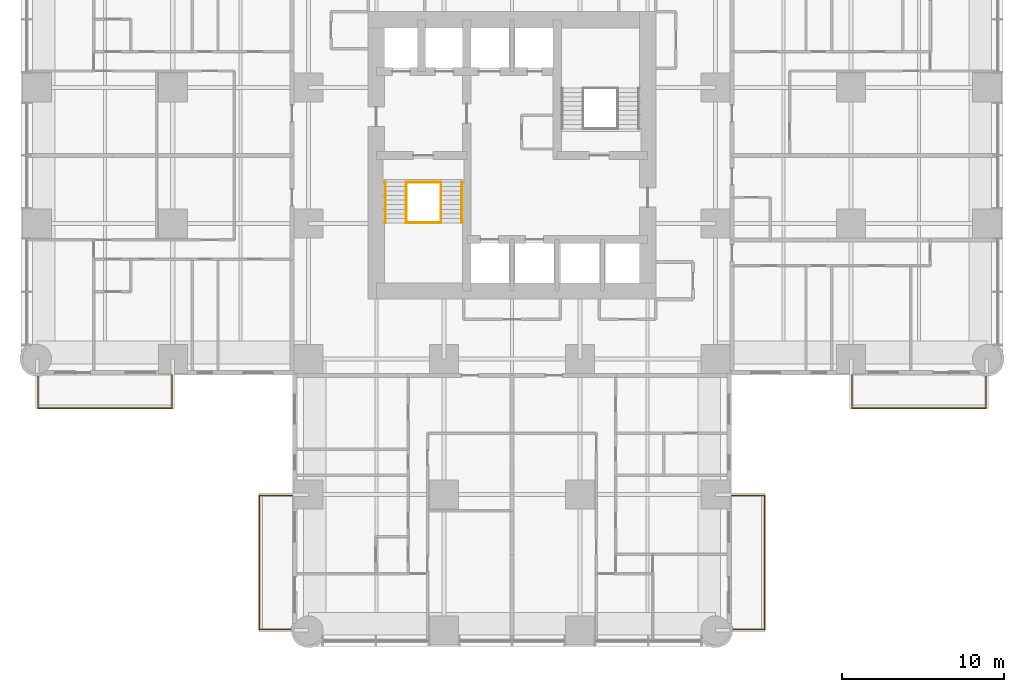
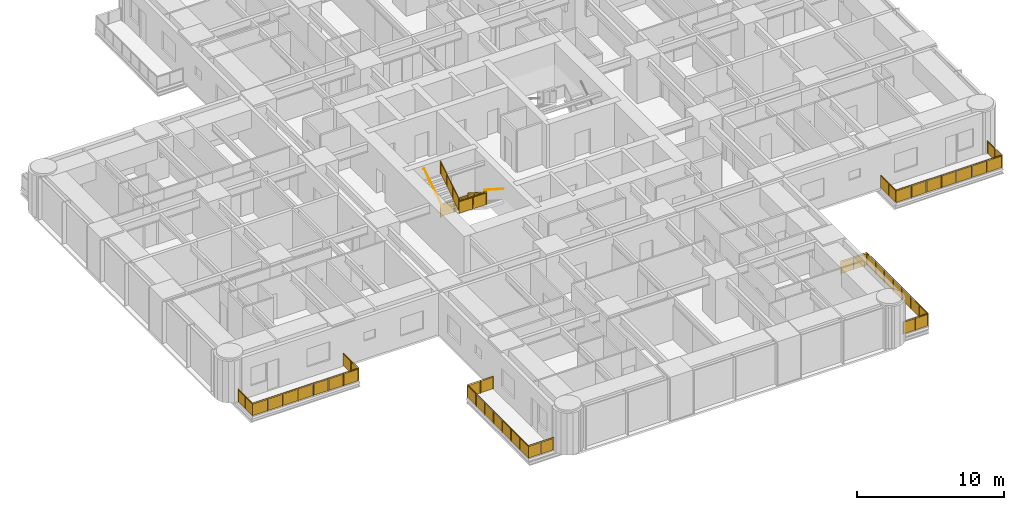
# One storey, part 16 of 17: 10 railings.
"""IFC4 building model written with IfcOpenShell, lengths in metres."""

from ifc_helpers import new_model, si_unit, direction, frame, origin, origin_2d, place, context, subcontext, project, spatial, polyline, circle, outline, extrude, material, constituent, constituent_set, type_object, element, save


model = new_model("IFC4")

# Units and contexts
model_context = context("Model", 3, precision=1e-05, world=origin(), true_north=direction((0.0, 1.0)))
body_context = subcontext(model_context, "Body", "Model", "MODEL_VIEW")
ifc_project = project(units=[si_unit("LENGTHUNIT", "METRE"), si_unit("AREAUNIT", "SQUARE_METRE"), si_unit("VOLUMEUNIT", "CUBIC_METRE"), si_unit("PLANEANGLEUNIT", "RADIAN"), si_unit("MASSUNIT", "GRAM", prefix="KILO")], contexts=[model_context])

# Site, building, storey
site_placement = place(None, origin())
site = spatial("IfcSite", under=ifc_project, at=site_placement, CompositionType="ELEMENT")
building_placement = place(site_placement, origin())
building = spatial("IfcBuilding", under=site, at=building_placement, Name="Torre Alcanfor", CompositionType="ELEMENT")
storey_placement = place(building_placement, frame((0.0, 0.0, 92.10009765625)))
storey = spatial("IfcBuildingStorey", under=building, at=storey_placement, Name="L23", CompositionType="ELEMENT", Elevation=92.10009765625)

# Railings
ifc_material_1 = material(Name="Laminated safety glass", Category="glass")
ifc_constituent_1 = constituent(ifc_material_1, Name="Infill")
ifc_material_2 = material(Name="Stainless steel ASTM A554 Grade MT 316L tube", Category="steel")
ifc_constituent_2 = constituent(ifc_material_2, Name="Posts and rail")
ifc_constituent_set = constituent_set(constituents=[ifc_constituent_1, ifc_constituent_2], Name="Balcony guard glass 1100")
railing_type_1 = type_object("IfcRailingType", Name="Balcony guard glass 1100", PredefinedType="BALUSTRADE", material=ifc_constituent_set)
railing_1_placement = place(storey_placement, frame((50.449951171875, 15.800048828125, 0.0)))
element("IfcRailing", 1, at=railing_1_placement, inside=storey, type_object=railing_type_1, Name="Balcony guard L23-E2", PredefinedType="BALUSTRADE", context=body_context, shape_type="SweptSolid", body=[
    extrude(circle(Radius=0.02392578125, at=origin_2d()), frame((0.0, 0.0, 1.076171875), z_axis=(0.0, -1.0, 0.0), x_axis=(1.0, 0.0, 0.0)), (0.0, 0.0, 1.0), 2.050048828125),
    extrude(circle(Radius=0.02392578125, at=origin_2d()), frame((0.0, -2.050048828125, 1.076171875), z_axis=(1.0, 0.0, 0.0), x_axis=(0.0, 1.0, 0.0)), (0.0, 0.0, 1.0), 8.300048828125),
    extrude(circle(Radius=0.02392578125, at=origin_2d()), frame((8.300048828125, -2.050048828125, 1.076171875), z_axis=(0.0, 1.0, 0.0), x_axis=(-1.0, 0.0, 0.0)), (0.0, 0.0, 1.0), 1.968994140625),
    extrude(circle(Radius=0.02099609375, at=origin_2d()), origin(), (0.0, 0.0, 1.0), 1.052001953125),
    extrude(circle(Radius=0.02099609375, at=origin_2d()), frame((0.0, -1.02490234375, 0.0)), (0.0, 0.0, 1.0), 1.052001953125),
    extrude(circle(Radius=0.02099609375, at=origin_2d()), frame((0.0, -2.050048828125, 0.0)), (0.0, 0.0, 1.0), 1.052001953125),
    extrude(circle(Radius=0.02099609375, at=origin_2d()), frame((1.185791015625, -2.050048828125, 0.0)), (0.0, 0.0, 1.0), 1.052001953125),
    extrude(circle(Radius=0.02099609375, at=origin_2d()), frame((2.371337890625, -2.050048828125, 0.0)), (0.0, 0.0, 1.0), 1.052001953125),
    extrude(circle(Radius=0.02099609375, at=origin_2d()), frame((3.55712890625, -2.050048828125, 0.0)), (0.0, 0.0, 1.0), 1.052001953125),
    extrude(circle(Radius=0.02099609375, at=origin_2d()), frame((4.742919921875, -2.050048828125, 0.0)), (0.0, 0.0, 1.0), 1.052001953125),
    extrude(circle(Radius=0.02099609375, at=origin_2d()), frame((5.9287109375, -2.050048828125, 0.0)), (0.0, 0.0, 1.0), 1.052001953125),
    extrude(circle(Radius=0.02099609375, at=origin_2d()), frame((7.1142578125, -2.050048828125, 0.0)), (0.0, 0.0, 1.0), 1.052001953125),
    extrude(circle(Radius=0.02099609375, at=origin_2d()), frame((8.300048828125, -2.050048828125, 0.0)), (0.0, 0.0, 1.0), 1.052001953125),
    extrude(circle(Radius=0.02099609375, at=origin_2d()), frame((8.300048828125, -1.0654296875, 0.0)), (0.0, 0.0, 1.0), 1.052001953125),
    extrude(circle(Radius=0.02099609375, at=origin_2d()), frame((8.300048828125, -0.0810546875, 0.0)), (0.0, 0.0, 1.0), 1.052001953125),
    extrude(outline(polyline([(0.041015625, 0.050048828125), (0.984130859375, 0.050048828125), (0.984130859375, 1.001953125), (0.041015625, 1.001953125), (0.041015625, 0.050048828125)])), frame((0.005859375, 0.0, 0.0), z_axis=(-1.0, 0.0, 0.0), x_axis=(0.0, -1.0, 0.0)), (0.0, 0.0, 1.0), 0.011962890625),
    extrude(outline(polyline([(1.06591796875, 0.050048828125), (2.009033203125, 0.050048828125), (2.009033203125, 1.001953125), (1.06591796875, 1.001953125), (1.06591796875, 0.050048828125)])), frame((0.005859375, 0.0, 0.0), z_axis=(-1.0, 0.0, 0.0), x_axis=(0.0, -1.0, 0.0)), (0.0, 0.0, 1.0), 0.011962890625),
    extrude(outline(polyline([(0.041015625, 0.050048828125), (1.144775390625, 0.050048828125), (1.144775390625, 1.001953125), (0.041015625, 1.001953125), (0.041015625, 0.050048828125)])), frame((0.0, -2.0439453125, 0.0), z_axis=(0.0, -1.0, 0.0), x_axis=(1.0, 0.0, 0.0)), (0.0, 0.0, 1.0), 0.011962890625),
    extrude(outline(polyline([(1.226806640625, 0.050048828125), (2.330322265625, 0.050048828125), (2.330322265625, 1.001953125), (1.226806640625, 1.001953125), (1.226806640625, 0.050048828125)])), frame((0.0, -2.0439453125, 0.0), z_axis=(0.0, -1.0, 0.0), x_axis=(1.0, 0.0, 0.0)), (0.0, 0.0, 1.0), 0.011962890625),
    extrude(outline(polyline([(2.412353515625, 0.050048828125), (3.51611328125, 0.050048828125), (3.51611328125, 1.001953125), (2.412353515625, 1.001953125), (2.412353515625, 0.050048828125)])), frame((0.0, -2.0439453125, 0.0), z_axis=(0.0, -1.0, 0.0), x_axis=(1.0, 0.0, 0.0)), (0.0, 0.0, 1.0), 0.011962890625),
    extrude(outline(polyline([(3.59814453125, 0.050048828125), (4.701904296875, 0.050048828125), (4.701904296875, 1.001953125), (3.59814453125, 1.001953125), (3.59814453125, 0.050048828125)])), frame((0.0, -2.0439453125, 0.0), z_axis=(0.0, -1.0, 0.0), x_axis=(1.0, 0.0, 0.0)), (0.0, 0.0, 1.0), 0.011962890625),
    extrude(outline(polyline([(4.783935546875, 0.050048828125), (5.8876953125, 0.050048828125), (5.8876953125, 1.001953125), (4.783935546875, 1.001953125), (4.783935546875, 0.050048828125)])), frame((0.0, -2.0439453125, 0.0), z_axis=(0.0, -1.0, 0.0), x_axis=(1.0, 0.0, 0.0)), (0.0, 0.0, 1.0), 0.011962890625),
    extrude(outline(polyline([(5.9697265625, 0.050048828125), (7.0732421875, 0.050048828125), (7.0732421875, 1.001953125), (5.9697265625, 1.001953125), (5.9697265625, 0.050048828125)])), frame((0.0, -2.0439453125, 0.0), z_axis=(0.0, -1.0, 0.0), x_axis=(1.0, 0.0, 0.0)), (0.0, 0.0, 1.0), 0.011962890625),
    extrude(outline(polyline([(7.1552734375, 0.050048828125), (8.259033203125, 0.050048828125), (8.259033203125, 1.001953125), (7.1552734375, 1.001953125), (7.1552734375, 0.050048828125)])), frame((0.0, -2.0439453125, 0.0), z_axis=(0.0, -1.0, 0.0), x_axis=(1.0, 0.0, 0.0)), (0.0, 0.0, 1.0), 0.011962890625),
    extrude(outline(polyline([(0.041015625, 0.050048828125), (0.943603515625, 0.050048828125), (0.943603515625, 1.001953125), (0.041015625, 1.001953125), (0.041015625, 0.050048828125)])), frame((8.2939453125, -2.050048828125, 0.0), z_axis=(1.0, 0.0, 0.0), x_axis=(0.0, 1.0, 0.0)), (0.0, 0.0, 1.0), 0.011962890625),
    extrude(outline(polyline([(1.025390625, 0.050048828125), (1.927978515625, 0.050048828125), (1.927978515625, 1.001953125), (1.025390625, 1.001953125), (1.025390625, 0.050048828125)])), frame((8.2939453125, -2.050048828125, 0.0), z_axis=(1.0, 0.0, 0.0), x_axis=(0.0, 1.0, 0.0)), (0.0, 0.0, 1.0), 0.011962890625),
])
railing_2_placement = place(storey_placement, frame((43.0, 8.35009765625, 0.0)))
element("IfcRailing", 2, at=railing_2_placement, inside=storey, type_object=railing_type_1, Name="Balcony guard L23-S1", PredefinedType="BALUSTRADE", context=body_context, shape_type="SweptSolid", body=[
    extrude(circle(Radius=0.02392578125, at=origin_2d()), frame((0.0, 0.0, 1.076171875), z_axis=(1.0, 0.0, 0.0), x_axis=(0.0, 1.0, 0.0)), (0.0, 0.0, 1.0), 2.050048828125),
    extrude(circle(Radius=0.02392578125, at=origin_2d()), frame((2.050048828125, 0.0, 1.076171875), z_axis=(0.0, -1.0, 0.0), x_axis=(1.0, 0.0, 0.0)), (0.0, 0.0, 1.0), 8.300048828125),
    extrude(circle(Radius=0.02392578125, at=origin_2d()), frame((2.050048828125, -8.300048828125, 1.076171875), z_axis=(-1.0, 0.0, 0.0), x_axis=(0.0, -1.0, 0.0)), (0.0, 0.0, 1.0), 1.968994140625),
    extrude(circle(Radius=0.02099609375, at=origin_2d()), origin(), (0.0, 0.0, 1.0), 1.052001953125),
    extrude(circle(Radius=0.02099609375, at=origin_2d()), frame((1.02490234375, 0.0, 0.0)), (0.0, 0.0, 1.0), 1.052001953125),
    extrude(circle(Radius=0.02099609375, at=origin_2d()), frame((2.050048828125, 0.0, 0.0)), (0.0, 0.0, 1.0), 1.052001953125),
    extrude(circle(Radius=0.02099609375, at=origin_2d()), frame((2.050048828125, -1.185791015625, 0.0)), (0.0, 0.0, 1.0), 1.052001953125),
    extrude(circle(Radius=0.02099609375, at=origin_2d()), frame((2.050048828125, -2.371337890625, 0.0)), (0.0, 0.0, 1.0), 1.052001953125),
    extrude(circle(Radius=0.02099609375, at=origin_2d()), frame((2.050048828125, -3.55712890625, 0.0)), (0.0, 0.0, 1.0), 1.052001953125),
    extrude(circle(Radius=0.02099609375, at=origin_2d()), frame((2.050048828125, -4.742919921875, 0.0)), (0.0, 0.0, 1.0), 1.052001953125),
    extrude(circle(Radius=0.02099609375, at=origin_2d()), frame((2.050048828125, -5.9287109375, 0.0)), (0.0, 0.0, 1.0), 1.052001953125),
    extrude(circle(Radius=0.02099609375, at=origin_2d()), frame((2.050048828125, -7.1142578125, 0.0)), (0.0, 0.0, 1.0), 1.052001953125),
    extrude(circle(Radius=0.02099609375, at=origin_2d()), frame((2.050048828125, -8.300048828125, 0.0)), (0.0, 0.0, 1.0), 1.052001953125),
    extrude(circle(Radius=0.02099609375, at=origin_2d()), frame((1.0654296875, -8.300048828125, 0.0)), (0.0, 0.0, 1.0), 1.052001953125),
    extrude(circle(Radius=0.02099609375, at=origin_2d()), frame((0.0810546875, -8.300048828125, 0.0)), (0.0, 0.0, 1.0), 1.052001953125),
    extrude(outline(polyline([(0.041015625, 0.050048828125), (0.984130859375, 0.050048828125), (0.984130859375, 1.001953125), (0.041015625, 1.001953125), (0.041015625, 0.050048828125)])), frame((0.0, 0.005859375, 0.0), z_axis=(0.0, -1.0, 0.0), x_axis=(1.0, 0.0, 0.0)), (0.0, 0.0, 1.0), 0.011962890625),
    extrude(outline(polyline([(1.06591796875, 0.050048828125), (2.009033203125, 0.050048828125), (2.009033203125, 1.001953125), (1.06591796875, 1.001953125), (1.06591796875, 0.050048828125)])), frame((0.0, 0.005859375, 0.0), z_axis=(0.0, -1.0, 0.0), x_axis=(1.0, 0.0, 0.0)), (0.0, 0.0, 1.0), 0.011962890625),
    extrude(outline(polyline([(0.041015625, 0.050048828125), (1.144775390625, 0.050048828125), (1.144775390625, 1.001953125), (0.041015625, 1.001953125), (0.041015625, 0.050048828125)])), frame((2.05615234375, 0.0, 0.0), z_axis=(-1.0, 0.0, 0.0), x_axis=(0.0, -1.0, 0.0)), (0.0, 0.0, 1.0), 0.011962890625),
    extrude(outline(polyline([(1.226806640625, 0.050048828125), (2.330322265625, 0.050048828125), (2.330322265625, 1.001953125), (1.226806640625, 1.001953125), (1.226806640625, 0.050048828125)])), frame((2.05615234375, 0.0, 0.0), z_axis=(-1.0, 0.0, 0.0), x_axis=(0.0, -1.0, 0.0)), (0.0, 0.0, 1.0), 0.011962890625),
    extrude(outline(polyline([(2.412353515625, 0.050048828125), (3.51611328125, 0.050048828125), (3.51611328125, 1.001953125), (2.412353515625, 1.001953125), (2.412353515625, 0.050048828125)])), frame((2.05615234375, 0.0, 0.0), z_axis=(-1.0, 0.0, 0.0), x_axis=(0.0, -1.0, 0.0)), (0.0, 0.0, 1.0), 0.011962890625),
    extrude(outline(polyline([(3.59814453125, 0.050048828125), (4.701904296875, 0.050048828125), (4.701904296875, 1.001953125), (3.59814453125, 1.001953125), (3.59814453125, 0.050048828125)])), frame((2.05615234375, 0.0, 0.0), z_axis=(-1.0, 0.0, 0.0), x_axis=(0.0, -1.0, 0.0)), (0.0, 0.0, 1.0), 0.011962890625),
    extrude(outline(polyline([(4.783935546875, 0.050048828125), (5.8876953125, 0.050048828125), (5.8876953125, 1.001953125), (4.783935546875, 1.001953125), (4.783935546875, 0.050048828125)])), frame((2.05615234375, 0.0, 0.0), z_axis=(-1.0, 0.0, 0.0), x_axis=(0.0, -1.0, 0.0)), (0.0, 0.0, 1.0), 0.011962890625),
    extrude(outline(polyline([(5.9697265625, 0.050048828125), (7.0732421875, 0.050048828125), (7.0732421875, 1.001953125), (5.9697265625, 1.001953125), (5.9697265625, 0.050048828125)])), frame((2.05615234375, 0.0, 0.0), z_axis=(-1.0, 0.0, 0.0), x_axis=(0.0, -1.0, 0.0)), (0.0, 0.0, 1.0), 0.011962890625),
    extrude(outline(polyline([(7.1552734375, 0.050048828125), (8.259033203125, 0.050048828125), (8.259033203125, 1.001953125), (7.1552734375, 1.001953125), (7.1552734375, 0.050048828125)])), frame((2.05615234375, 0.0, 0.0), z_axis=(-1.0, 0.0, 0.0), x_axis=(0.0, -1.0, 0.0)), (0.0, 0.0, 1.0), 0.011962890625),
    extrude(outline(polyline([(0.041015625, 0.050048828125), (0.943603515625, 0.050048828125), (0.943603515625, 1.001953125), (0.041015625, 1.001953125), (0.041015625, 0.050048828125)])), frame((2.050048828125, -8.30615234375, 0.0), z_axis=(0.0, 1.0, 0.0), x_axis=(-1.0, 0.0, 0.0)), (0.0, 0.0, 1.0), 0.011962890625),
    extrude(outline(polyline([(1.025390625, 0.050048828125), (1.927978515625, 0.050048828125), (1.927978515625, 1.001953125), (1.025390625, 1.001953125), (1.025390625, 0.050048828125)])), frame((2.050048828125, -8.30615234375, 0.0), z_axis=(0.0, 1.0, 0.0), x_axis=(-1.0, 0.0, 0.0)), (0.0, 0.0, 1.0), 0.011962890625),
])
railing_3_placement = place(storey_placement, frame((15.800048828125, 8.35009765625, 0.0)))
element("IfcRailing", 3, at=railing_3_placement, inside=storey, type_object=railing_type_1, Name="Balcony guard L23-S2", PredefinedType="BALUSTRADE", context=body_context, shape_type="SweptSolid", body=[
    extrude(circle(Radius=0.02392578125, at=origin_2d()), frame((0.0, 0.0, 1.076171875), z_axis=(-1.0, 0.0, 0.0), x_axis=(0.0, -1.0, 0.0)), (0.0, 0.0, 1.0), 2.050048828125),
    extrude(circle(Radius=0.02392578125, at=origin_2d()), frame((-2.050048828125, 0.0, 1.076171875), z_axis=(0.0, -1.0, 0.0), x_axis=(1.0, 0.0, 0.0)), (0.0, 0.0, 1.0), 8.300048828125),
    extrude(circle(Radius=0.02392578125, at=origin_2d()), frame((-2.050048828125, -8.300048828125, 1.076171875), z_axis=(1.0, 0.0, 0.0), x_axis=(0.0, 1.0, 0.0)), (0.0, 0.0, 1.0), 1.968994140625),
    extrude(circle(Radius=0.02099609375, at=origin_2d()), origin(), (0.0, 0.0, 1.0), 1.052001953125),
    extrude(circle(Radius=0.02099609375, at=origin_2d()), frame((-1.02490234375, 0.0, 0.0)), (0.0, 0.0, 1.0), 1.052001953125),
    extrude(circle(Radius=0.02099609375, at=origin_2d()), frame((-2.050048828125, 0.0, 0.0)), (0.0, 0.0, 1.0), 1.052001953125),
    extrude(circle(Radius=0.02099609375, at=origin_2d()), frame((-2.050048828125, -1.185791015625, 0.0)), (0.0, 0.0, 1.0), 1.052001953125),
    extrude(circle(Radius=0.02099609375, at=origin_2d()), frame((-2.050048828125, -2.371337890625, 0.0)), (0.0, 0.0, 1.0), 1.052001953125),
    extrude(circle(Radius=0.02099609375, at=origin_2d()), frame((-2.050048828125, -3.55712890625, 0.0)), (0.0, 0.0, 1.0), 1.052001953125),
    extrude(circle(Radius=0.02099609375, at=origin_2d()), frame((-2.050048828125, -4.742919921875, 0.0)), (0.0, 0.0, 1.0), 1.052001953125),
    extrude(circle(Radius=0.02099609375, at=origin_2d()), frame((-2.050048828125, -5.9287109375, 0.0)), (0.0, 0.0, 1.0), 1.052001953125),
    extrude(circle(Radius=0.02099609375, at=origin_2d()), frame((-2.050048828125, -7.1142578125, 0.0)), (0.0, 0.0, 1.0), 1.052001953125),
    extrude(circle(Radius=0.02099609375, at=origin_2d()), frame((-2.050048828125, -8.300048828125, 0.0)), (0.0, 0.0, 1.0), 1.052001953125),
    extrude(circle(Radius=0.02099609375, at=origin_2d()), frame((-1.0654296875, -8.300048828125, 0.0)), (0.0, 0.0, 1.0), 1.052001953125),
    extrude(circle(Radius=0.02099609375, at=origin_2d()), frame((-0.0810546875, -8.300048828125, 0.0)), (0.0, 0.0, 1.0), 1.052001953125),
    extrude(outline(polyline([(0.041015625, 0.050048828125), (0.984130859375, 0.050048828125), (0.984130859375, 1.001953125), (0.041015625, 1.001953125), (0.041015625, 0.050048828125)])), frame((0.0, -0.005859375, 0.0), z_axis=(0.0, 1.0, 0.0), x_axis=(-1.0, 0.0, 0.0)), (0.0, 0.0, 1.0), 0.011962890625),
    extrude(outline(polyline([(1.06591796875, 0.050048828125), (2.009033203125, 0.050048828125), (2.009033203125, 1.001953125), (1.06591796875, 1.001953125), (1.06591796875, 0.050048828125)])), frame((0.0, -0.005859375, 0.0), z_axis=(0.0, 1.0, 0.0), x_axis=(-1.0, 0.0, 0.0)), (0.0, 0.0, 1.0), 0.011962890625),
    extrude(outline(polyline([(0.041015625, 0.050048828125), (1.144775390625, 0.050048828125), (1.144775390625, 1.001953125), (0.041015625, 1.001953125), (0.041015625, 0.050048828125)])), frame((-2.0439453125, 0.0, 0.0), z_axis=(-1.0, 0.0, 0.0), x_axis=(0.0, -1.0, 0.0)), (0.0, 0.0, 1.0), 0.011962890625),
    extrude(outline(polyline([(1.226806640625, 0.050048828125), (2.330322265625, 0.050048828125), (2.330322265625, 1.001953125), (1.226806640625, 1.001953125), (1.226806640625, 0.050048828125)])), frame((-2.0439453125, 0.0, 0.0), z_axis=(-1.0, 0.0, 0.0), x_axis=(0.0, -1.0, 0.0)), (0.0, 0.0, 1.0), 0.011962890625),
    extrude(outline(polyline([(2.412353515625, 0.050048828125), (3.51611328125, 0.050048828125), (3.51611328125, 1.001953125), (2.412353515625, 1.001953125), (2.412353515625, 0.050048828125)])), frame((-2.0439453125, 0.0, 0.0), z_axis=(-1.0, 0.0, 0.0), x_axis=(0.0, -1.0, 0.0)), (0.0, 0.0, 1.0), 0.011962890625),
    extrude(outline(polyline([(3.59814453125, 0.050048828125), (4.701904296875, 0.050048828125), (4.701904296875, 1.001953125), (3.59814453125, 1.001953125), (3.59814453125, 0.050048828125)])), frame((-2.0439453125, 0.0, 0.0), z_axis=(-1.0, 0.0, 0.0), x_axis=(0.0, -1.0, 0.0)), (0.0, 0.0, 1.0), 0.011962890625),
    extrude(outline(polyline([(4.783935546875, 0.050048828125), (5.8876953125, 0.050048828125), (5.8876953125, 1.001953125), (4.783935546875, 1.001953125), (4.783935546875, 0.050048828125)])), frame((-2.0439453125, 0.0, 0.0), z_axis=(-1.0, 0.0, 0.0), x_axis=(0.0, -1.0, 0.0)), (0.0, 0.0, 1.0), 0.011962890625),
    extrude(outline(polyline([(5.9697265625, 0.050048828125), (7.0732421875, 0.050048828125), (7.0732421875, 1.001953125), (5.9697265625, 1.001953125), (5.9697265625, 0.050048828125)])), frame((-2.0439453125, 0.0, 0.0), z_axis=(-1.0, 0.0, 0.0), x_axis=(0.0, -1.0, 0.0)), (0.0, 0.0, 1.0), 0.011962890625),
    extrude(outline(polyline([(7.1552734375, 0.050048828125), (8.259033203125, 0.050048828125), (8.259033203125, 1.001953125), (7.1552734375, 1.001953125), (7.1552734375, 0.050048828125)])), frame((-2.0439453125, 0.0, 0.0), z_axis=(-1.0, 0.0, 0.0), x_axis=(0.0, -1.0, 0.0)), (0.0, 0.0, 1.0), 0.011962890625),
    extrude(outline(polyline([(0.041015625, 0.050048828125), (0.943603515625, 0.050048828125), (0.943603515625, 1.001953125), (0.041015625, 1.001953125), (0.041015625, 0.050048828125)])), frame((-2.050048828125, -8.2939453125, 0.0), z_axis=(0.0, -1.0, 0.0), x_axis=(1.0, 0.0, 0.0)), (0.0, 0.0, 1.0), 0.011962890625),
    extrude(outline(polyline([(1.025390625, 0.050048828125), (1.927978515625, 0.050048828125), (1.927978515625, 1.001953125), (1.025390625, 1.001953125), (1.025390625, 0.050048828125)])), frame((-2.050048828125, -8.2939453125, 0.0), z_axis=(0.0, -1.0, 0.0), x_axis=(1.0, 0.0, 0.0)), (0.0, 0.0, 1.0), 0.011962890625),
])
railing_4_placement = place(storey_placement, frame((8.35009765625, 15.800048828125, 0.0)))
element("IfcRailing", 4, at=railing_4_placement, inside=storey, type_object=railing_type_1, Name="Balcony guard L23-W1", PredefinedType="BALUSTRADE", context=body_context, shape_type="SweptSolid", body=[
    extrude(circle(Radius=0.02392578125, at=origin_2d()), frame((0.0, 0.0, 1.076171875), z_axis=(0.0, -1.0, 0.0), x_axis=(1.0, 0.0, 0.0)), (0.0, 0.0, 1.0), 2.050048828125),
    extrude(circle(Radius=0.02392578125, at=origin_2d()), frame((0.0, -2.050048828125, 1.076171875), z_axis=(-1.0, 0.0, 0.0), x_axis=(0.0, -1.0, 0.0)), (0.0, 0.0, 1.0), 8.300048828125),
    extrude(circle(Radius=0.02392578125, at=origin_2d()), frame((-8.300048828125, -2.050048828125, 1.076171875), z_axis=(0.0, 1.0, 0.0), x_axis=(-1.0, 0.0, 0.0)), (0.0, 0.0, 1.0), 1.968994140625),
    extrude(circle(Radius=0.02099609375, at=origin_2d()), origin(), (0.0, 0.0, 1.0), 1.052001953125),
    extrude(circle(Radius=0.02099609375, at=origin_2d()), frame((0.0, -1.02490234375, 0.0)), (0.0, 0.0, 1.0), 1.052001953125),
    extrude(circle(Radius=0.02099609375, at=origin_2d()), frame((0.0, -2.050048828125, 0.0)), (0.0, 0.0, 1.0), 1.052001953125),
    extrude(circle(Radius=0.02099609375, at=origin_2d()), frame((-1.185791015625, -2.050048828125, 0.0)), (0.0, 0.0, 1.0), 1.052001953125),
    extrude(circle(Radius=0.02099609375, at=origin_2d()), frame((-2.371337890625, -2.050048828125, 0.0)), (0.0, 0.0, 1.0), 1.052001953125),
    extrude(circle(Radius=0.02099609375, at=origin_2d()), frame((-3.55712890625, -2.050048828125, 0.0)), (0.0, 0.0, 1.0), 1.052001953125),
    extrude(circle(Radius=0.02099609375, at=origin_2d()), frame((-4.742919921875, -2.050048828125, 0.0)), (0.0, 0.0, 1.0), 1.052001953125),
    extrude(circle(Radius=0.02099609375, at=origin_2d()), frame((-5.9287109375, -2.050048828125, 0.0)), (0.0, 0.0, 1.0), 1.052001953125),
    extrude(circle(Radius=0.02099609375, at=origin_2d()), frame((-7.1142578125, -2.050048828125, 0.0)), (0.0, 0.0, 1.0), 1.052001953125),
    extrude(circle(Radius=0.02099609375, at=origin_2d()), frame((-8.300048828125, -2.050048828125, 0.0)), (0.0, 0.0, 1.0), 1.052001953125),
    extrude(circle(Radius=0.02099609375, at=origin_2d()), frame((-8.300048828125, -1.0654296875, 0.0)), (0.0, 0.0, 1.0), 1.052001953125),
    extrude(circle(Radius=0.02099609375, at=origin_2d()), frame((-8.300048828125, -0.0810546875, 0.0)), (0.0, 0.0, 1.0), 1.052001953125),
    extrude(outline(polyline([(0.041015625, 0.050048828125), (0.984130859375, 0.050048828125), (0.984130859375, 1.001953125), (0.041015625, 1.001953125), (0.041015625, 0.050048828125)])), frame((0.005859375, 0.0, 0.0), z_axis=(-1.0, 0.0, 0.0), x_axis=(0.0, -1.0, 0.0)), (0.0, 0.0, 1.0), 0.011962890625),
    extrude(outline(polyline([(1.06591796875, 0.050048828125), (2.009033203125, 0.050048828125), (2.009033203125, 1.001953125), (1.06591796875, 1.001953125), (1.06591796875, 0.050048828125)])), frame((0.005859375, 0.0, 0.0), z_axis=(-1.0, 0.0, 0.0), x_axis=(0.0, -1.0, 0.0)), (0.0, 0.0, 1.0), 0.011962890625),
    extrude(outline(polyline([(0.041015625, 0.050048828125), (1.144775390625, 0.050048828125), (1.144775390625, 1.001953125), (0.041015625, 1.001953125), (0.041015625, 0.050048828125)])), frame((0.0, -2.05615234375, 0.0), z_axis=(0.0, 1.0, 0.0), x_axis=(-1.0, 0.0, 0.0)), (0.0, 0.0, 1.0), 0.011962890625),
    extrude(outline(polyline([(1.226806640625, 0.050048828125), (2.330322265625, 0.050048828125), (2.330322265625, 1.001953125), (1.226806640625, 1.001953125), (1.226806640625, 0.050048828125)])), frame((0.0, -2.05615234375, 0.0), z_axis=(0.0, 1.0, 0.0), x_axis=(-1.0, 0.0, 0.0)), (0.0, 0.0, 1.0), 0.011962890625),
    extrude(outline(polyline([(2.412353515625, 0.050048828125), (3.51611328125, 0.050048828125), (3.51611328125, 1.001953125), (2.412353515625, 1.001953125), (2.412353515625, 0.050048828125)])), frame((0.0, -2.05615234375, 0.0), z_axis=(0.0, 1.0, 0.0), x_axis=(-1.0, 0.0, 0.0)), (0.0, 0.0, 1.0), 0.011962890625),
    extrude(outline(polyline([(3.59814453125, 0.050048828125), (4.701904296875, 0.050048828125), (4.701904296875, 1.001953125), (3.59814453125, 1.001953125), (3.59814453125, 0.050048828125)])), frame((0.0, -2.05615234375, 0.0), z_axis=(0.0, 1.0, 0.0), x_axis=(-1.0, 0.0, 0.0)), (0.0, 0.0, 1.0), 0.011962890625),
    extrude(outline(polyline([(4.783935546875, 0.050048828125), (5.8876953125, 0.050048828125), (5.8876953125, 1.001953125), (4.783935546875, 1.001953125), (4.783935546875, 0.050048828125)])), frame((0.0, -2.05615234375, 0.0), z_axis=(0.0, 1.0, 0.0), x_axis=(-1.0, 0.0, 0.0)), (0.0, 0.0, 1.0), 0.011962890625),
    extrude(outline(polyline([(5.9697265625, 0.050048828125), (7.0732421875, 0.050048828125), (7.0732421875, 1.001953125), (5.9697265625, 1.001953125), (5.9697265625, 0.050048828125)])), frame((0.0, -2.05615234375, 0.0), z_axis=(0.0, 1.0, 0.0), x_axis=(-1.0, 0.0, 0.0)), (0.0, 0.0, 1.0), 0.011962890625),
    extrude(outline(polyline([(7.1552734375, 0.050048828125), (8.259033203125, 0.050048828125), (8.259033203125, 1.001953125), (7.1552734375, 1.001953125), (7.1552734375, 0.050048828125)])), frame((0.0, -2.05615234375, 0.0), z_axis=(0.0, 1.0, 0.0), x_axis=(-1.0, 0.0, 0.0)), (0.0, 0.0, 1.0), 0.011962890625),
    extrude(outline(polyline([(0.041015625, 0.050048828125), (0.943603515625, 0.050048828125), (0.943603515625, 1.001953125), (0.041015625, 1.001953125), (0.041015625, 0.050048828125)])), frame((-8.30615234375, -2.050048828125, 0.0), z_axis=(1.0, 0.0, 0.0), x_axis=(0.0, 1.0, 0.0)), (0.0, 0.0, 1.0), 0.011962890625),
    extrude(outline(polyline([(1.025390625, 0.050048828125), (1.927978515625, 0.050048828125), (1.927978515625, 1.001953125), (1.025390625, 1.001953125), (1.025390625, 0.050048828125)])), frame((-8.30615234375, -2.050048828125, 0.0), z_axis=(1.0, 0.0, 0.0), x_axis=(0.0, 1.0, 0.0)), (0.0, 0.0, 1.0), 0.011962890625),
])
ifc_material_3 = material(Name="Steel ASTM A500 Grade C hollow sections", Category="steel")
railing_type_2 = type_object("IfcRailingType", Name="Stair guard and handrail 1100", PredefinedType="GUARDRAIL", material=ifc_material_3)
railing_5_placement = place(storey_placement, frame((25.0, 27.75, 0.179931640625)))
element("IfcRailing", 5, at=railing_5_placement, inside=storey, type_object=railing_type_2, Name="Stair guard S1 L23 flight 1", PredefinedType="GUARDRAIL", context=body_context, shape_type="SweptSolid", body=[
    extrude(circle(Radius=0.02392578125, at=origin_2d()), frame((0.0, 0.0, 1.076171875), z_axis=(0.0, -0.841199657755, 0.540724639528), x_axis=(1.0, 0.0, 0.0)), (0.0, 0.0, 1.0), 2.995849609375),
    extrude(circle(Radius=0.02099609375, at=origin_2d()), origin(), (0.0, 0.0, 1.0), 1.052001953125),
    extrude(circle(Radius=0.02099609375, at=origin_2d()), frame((0.0, -0.840087890625, 0.5400390625)), (0.0, 0.0, 1.0), 1.052001953125),
    extrude(circle(Radius=0.02099609375, at=origin_2d()), frame((0.0, -1.679931640625, 1.079833984375)), (0.0, 0.0, 1.0), 1.052001953125),
    extrude(circle(Radius=0.02099609375, at=origin_2d()), frame((0.0, -2.52001953125, 1.619873046875)), (0.0, 0.0, 1.0), 1.052001953125),
    extrude(outline(polyline([(0.041015625, 0.076416015625), (0.799072265625, 0.563720703125), (0.799072265625, 1.515625), (0.041015625, 1.0283203125), (0.041015625, 0.076416015625)])), frame((0.005859375, 0.0, 0.0), z_axis=(-1.0, 0.0, 0.0), x_axis=(0.0, -1.0, 0.0)), (0.0, 0.0, 1.0), 0.011962890625),
    extrude(outline(polyline([(0.881103515625, 0.6162109375), (1.638916015625, 1.103515625), (1.638916015625, 2.0556640625), (0.881103515625, 1.568359375), (0.881103515625, 0.6162109375)])), frame((0.005859375, 0.0, 0.0), z_axis=(-1.0, 0.0, 0.0), x_axis=(0.0, -1.0, 0.0)), (0.0, 0.0, 1.0), 0.011962890625),
    extrude(outline(polyline([(1.720947265625, 1.15625), (2.47900390625, 1.6435546875), (2.47900390625, 2.595458984375), (1.720947265625, 2.108154296875), (1.720947265625, 1.15625)])), frame((0.005859375, 0.0, 0.0), z_axis=(-1.0, 0.0, 0.0), x_axis=(0.0, -1.0, 0.0)), (0.0, 0.0, 1.0), 0.011962890625),
])
railing_6_placement = place(storey_placement, frame((22.85009765625, 25.22998046875, 1.97998046875)))
element("IfcRailing", 6, at=railing_6_placement, inside=storey, type_object=railing_type_2, Name="Stair guard S1 L23 flight 2", PredefinedType="GUARDRAIL", context=body_context, shape_type="SweptSolid", body=[
    extrude(circle(Radius=0.02392578125, at=origin_2d()), frame((0.0, 0.0, 1.076171875), z_axis=(0.0, 0.841199657755, 0.540724639528), x_axis=(-1.0, 0.0, 0.0)), (0.0, 0.0, 1.0), 2.995849609375),
    extrude(circle(Radius=0.02099609375, at=origin_2d()), origin(), (0.0, 0.0, 1.0), 1.052001953125),
    extrude(circle(Radius=0.02099609375, at=origin_2d()), frame((0.0, 0.840087890625, 0.5400390625)), (0.0, 0.0, 1.0), 1.052001953125),
    extrude(circle(Radius=0.02099609375, at=origin_2d()), frame((0.0, 1.679931640625, 1.079833984375)), (0.0, 0.0, 1.0), 1.052001953125),
    extrude(circle(Radius=0.02099609375, at=origin_2d()), frame((0.0, 2.52001953125, 1.619873046875)), (0.0, 0.0, 1.0), 1.052001953125),
    extrude(outline(polyline([(0.041015625, 0.076416015625), (0.799072265625, 0.563720703125), (0.799072265625, 1.515625), (0.041015625, 1.0283203125), (0.041015625, 0.076416015625)])), frame((-0.005859375, 0.0, 0.0), z_axis=(1.0, 0.0, 0.0), x_axis=(0.0, 1.0, 0.0)), (0.0, 0.0, 1.0), 0.011962890625),
    extrude(outline(polyline([(0.881103515625, 0.6162109375), (1.638916015625, 1.103515625), (1.638916015625, 2.0556640625), (0.881103515625, 1.568359375), (0.881103515625, 0.6162109375)])), frame((-0.005859375, 0.0, 0.0), z_axis=(1.0, 0.0, 0.0), x_axis=(0.0, 1.0, 0.0)), (0.0, 0.0, 1.0), 0.011962890625),
    extrude(outline(polyline([(1.720947265625, 1.15625), (2.47900390625, 1.6435546875), (2.47900390625, 2.595458984375), (1.720947265625, 2.108154296875), (1.720947265625, 1.15625)])), frame((-0.005859375, 0.0, 0.0), z_axis=(1.0, 0.0, 0.0), x_axis=(0.0, 1.0, 0.0)), (0.0, 0.0, 1.0), 0.011962890625),
])
for number, where, name in (
    (7, (22.85009765625, 27.75, 0.0), "Stair well guard S1 L23 floor landing"),
    (8, (22.85009765625, 25.22998046875, 1.7998046875), "Stair well guard S1 L23 half landing"),
):
    element("IfcRailing", number, at=place(storey_placement, frame(where)), inside=storey, type_object=railing_type_2, Name=name, PredefinedType="GUARDRAIL", context=body_context, shape_type="SweptSolid", body=[
        extrude(circle(Radius=0.02392578125, at=origin_2d()), frame((0.0, 0.0, 1.076171875), z_axis=(1.0, 0.0, 0.0), x_axis=(0.0, 1.0, 0.0)), (0.0, 0.0, 1.0), 2.14990234375),
        extrude(circle(Radius=0.02099609375, at=origin_2d()), origin(), (0.0, 0.0, 1.0), 1.052001953125),
        extrude(circle(Radius=0.02099609375, at=origin_2d()), frame((1.074951171875, 0.0, 0.0)), (0.0, 0.0, 1.0), 1.052001953125),
        extrude(circle(Radius=0.02099609375, at=origin_2d()), frame((2.14990234375, 0.0, 0.0)), (0.0, 0.0, 1.0), 1.052001953125),
        extrude(outline(polyline([(0.041015625, 0.050048828125), (1.033935546875, 0.050048828125), (1.033935546875, 1.001953125), (0.041015625, 1.001953125), (0.041015625, 0.050048828125)])), frame((0.0, 0.005859375, 0.0), z_axis=(0.0, -1.0, 0.0), x_axis=(1.0, 0.0, 0.0)), (0.0, 0.0, 1.0), 0.011962890625),
        extrude(outline(polyline([(1.115966796875, 0.050048828125), (2.10888671875, 0.050048828125), (2.10888671875, 1.001953125), (1.115966796875, 1.001953125), (1.115966796875, 0.050048828125)])), frame((0.0, 0.005859375, 0.0), z_axis=(0.0, -1.0, 0.0), x_axis=(1.0, 0.0, 0.0)), (0.0, 0.0, 1.0), 0.011962890625),
    ])
ifc_material_4 = material(Name="Steel ASTM A500 Grade C hollow sections", Category="steel")
railing_type_3 = type_object("IfcRailingType", Name="Stair wall handrail 900", PredefinedType="HANDRAIL", material=ifc_material_4)
railing_7_placement = place(storey_placement, frame((26.284912109375, 27.75, 0.179931640625)))
element("IfcRailing", 9, at=railing_7_placement, inside=storey, type_object=railing_type_3, Name="Stair handrail S1 L23 flight 1", PredefinedType="HANDRAIL", context=body_context, shape_type="SweptSolid", body=[
    extrude(circle(Radius=0.02392578125, at=origin_2d()), frame((0.0, 0.0, 0.8759765625), z_axis=(0.0, -0.841199657755, 0.540724639528), x_axis=(1.0, 0.0, 0.0)), (0.0, 0.0, 1.0), 2.995849609375),
    extrude(circle(Radius=0.008056640625, at=origin_2d()), frame((0.0, 0.0, 0.8759765625), z_axis=(1.0, 0.0, 0.0), x_axis=(0.0, 0.0, 1.0)), (0.0, 0.0, 1.0), 0.06494140625),
    extrude(circle(Radius=0.008056640625, at=origin_2d()), frame((0.0, -0.840087890625, 1.415771484375), z_axis=(1.0, 0.0, 0.0), x_axis=(0.0, 0.0, 1.0)), (0.0, 0.0, 1.0), 0.06494140625),
    extrude(circle(Radius=0.008056640625, at=origin_2d()), frame((0.0, -1.679931640625, 1.955810546875), z_axis=(1.0, 0.0, 0.0), x_axis=(0.0, 0.0, 1.0)), (0.0, 0.0, 1.0), 0.06494140625),
    extrude(circle(Radius=0.008056640625, at=origin_2d()), frame((0.0, -2.52001953125, 2.49560546875), z_axis=(1.0, 0.0, 0.0), x_axis=(0.0, 0.0, 1.0)), (0.0, 0.0, 1.0), 0.06494140625),
])
railing_8_placement = place(storey_placement, frame((21.56494140625, 25.22998046875, 1.97998046875)))
element("IfcRailing", 10, at=railing_8_placement, inside=storey, type_object=railing_type_3, Name="Stair handrail S1 L23 flight 2", PredefinedType="HANDRAIL", context=body_context, shape_type="SweptSolid", body=[
    extrude(circle(Radius=0.02392578125, at=origin_2d()), frame((0.0, 0.0, 0.8759765625), z_axis=(0.0, 0.841199657755, 0.540724639528), x_axis=(-1.0, 0.0, 0.0)), (0.0, 0.0, 1.0), 2.995849609375),
    extrude(circle(Radius=0.008056640625, at=origin_2d()), frame((0.0, 0.0, 0.8759765625), z_axis=(-1.0, 0.0, 0.0), x_axis=(0.0, 0.0, 1.0)), (0.0, 0.0, 1.0), 0.06494140625),
    extrude(circle(Radius=0.008056640625, at=origin_2d()), frame((0.0, 0.840087890625, 1.415771484375), z_axis=(-1.0, 0.0, 0.0), x_axis=(0.0, 0.0, 1.0)), (0.0, 0.0, 1.0), 0.06494140625),
    extrude(circle(Radius=0.008056640625, at=origin_2d()), frame((0.0, 1.679931640625, 1.955810546875), z_axis=(-1.0, 0.0, 0.0), x_axis=(0.0, 0.0, 1.0)), (0.0, 0.0, 1.0), 0.06494140625),
    extrude(circle(Radius=0.008056640625, at=origin_2d()), frame((0.0, 2.52001953125, 2.49560546875), z_axis=(-1.0, 0.0, 0.0), x_axis=(0.0, 0.0, 1.0)), (0.0, 0.0, 1.0), 0.06494140625),
])

save(model, "model.ifc")
